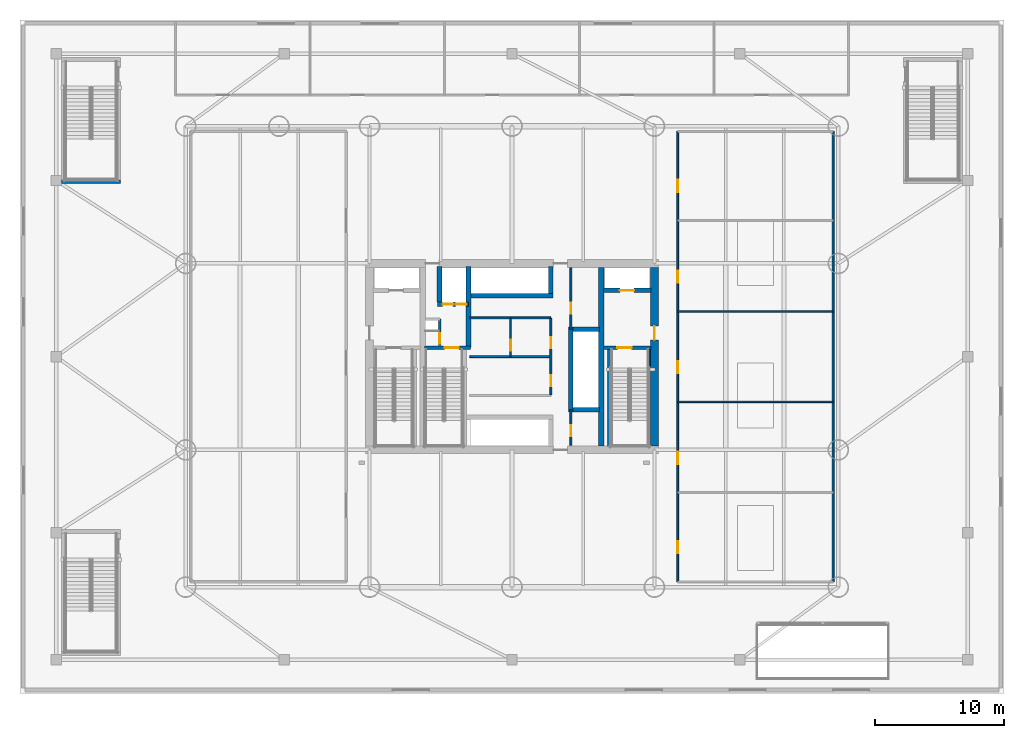
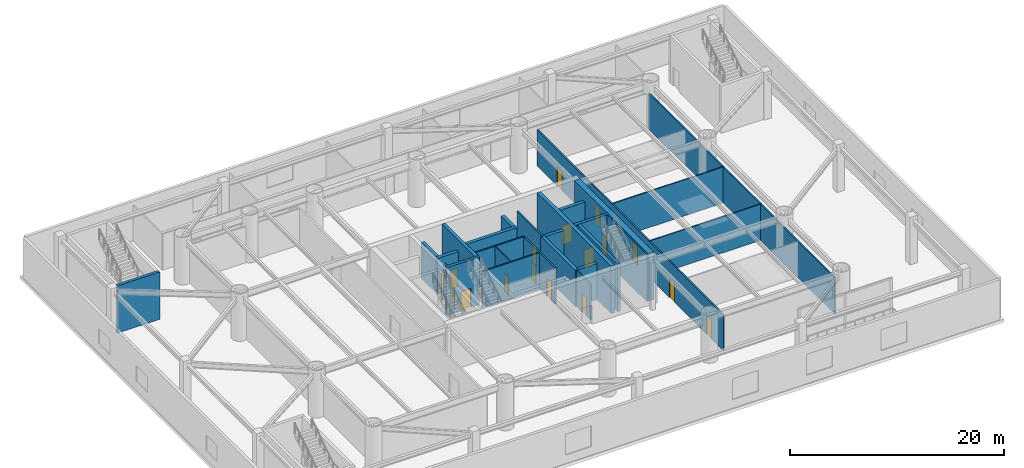
# One storey, part 7 of 16: 27 walls, 17 doors, 17 openings.
"""IFC4 building model written with IfcOpenShell, lengths in metres."""

from ifc_helpers import new_model, si_unit, direction, frame, frame_2d, origin, place, context, subcontext, project, spatial, rectangle, extrude, material, layer, layer_set, type_object, element, fill, save


model = new_model("IFC4")

# Units and contexts
model_context = context("Model", 3, precision=1e-05, world=origin(), true_north=direction((0.0, 1.0)))
body_context = subcontext(model_context, "Body", "Model", "MODEL_VIEW")
ifc_project = project(units=[si_unit("LENGTHUNIT", "METRE"), si_unit("AREAUNIT", "SQUARE_METRE"), si_unit("VOLUMEUNIT", "CUBIC_METRE"), si_unit("PLANEANGLEUNIT", "RADIAN"), si_unit("MASSUNIT", "GRAM", prefix="KILO")], contexts=[model_context])

# Site, building, storey
site_placement = place(None, origin())
site = spatial("IfcSite", under=ifc_project, at=site_placement, CompositionType="ELEMENT")
building_placement = place(site_placement, origin())
building = spatial("IfcBuilding", under=site, at=building_placement, Name="Bramvorn Convention Spire", CompositionType="ELEMENT")
storey_placement = place(building_placement, frame((0.0, 0.0, 18.60009765625)))
storey = spatial("IfcBuildingStorey", under=building, at=storey_placement, Name="L03", CompositionType="ELEMENT", Elevation=18.60009765625)

# Wall, opening, door
ifc_material_1 = material(Name="Concrete C60/70", Category="concrete")
ifc_layer_1 = layer(ifc_material_1, 0.60009765625)
ifc_layer_set_1 = layer_set([ifc_layer_1], Name="Concrete C60/70 - WL-CORE-600")
wall_type_1 = type_object("IfcWallType", Name="WL-CORE-600", PredefinedType="SHEAR", material=ifc_layer_set_1)
wall_1_placement = place(storey_placement, frame((49.0, 19.10009765625, 0.0), z_axis=(0.0, 0.0, 1.0), x_axis=(0.0, 1.0, 0.0)))
wall_1 = element("IfcWall", 1, at=wall_1_placement, inside=storey, type_object=wall_type_1, Name="L03 East RC core shear wall", PredefinedType="SHEAR", context=body_context, shape_type="SweptSolid", body=[
    extrude(rectangle(XDim=13.7998046875, YDim=0.60009765625, at=frame_2d((6.89990234375, 0.0))), origin(), (0.0, 0.0, 1.0), 5.39990234375),
])
opening_1_placement = place(wall_1_placement, frame((8.199951171875, 0.0, 0.0)))
opening_1 = element("IfcOpeningElement", 2, at=opening_1_placement, cuts=wall_1, Name="Opening DL-105", PredefinedType="OPENING", context=body_context, shape_type="SweptSolid", body=[
    extrude(rectangle(XDim=1.050048828125, YDim=2.14990234375, at=frame_2d((0.52490234375, 1.074951171875))), frame((0.0, 0.31005859375, 0.0), z_axis=(0.0, -1.0, 0.0), x_axis=(1.0, 0.0, 0.0)), (0.0, 0.0, 1.0), 0.6201171875),
])
ifc_material_2 = material(Name="Smoke-Sealed Fire Lobby Timber-Core Door", Category="wood")
door_type_1 = type_object("IfcDoorType", Name="DR-LOBBY-1050", OperationType="NOTDEFINED", PredefinedType="DOOR", material=ifc_material_2)
door_1_placement = place(opening_1_placement, origin())
door_1 = element("IfcDoor", 3, at=door_1_placement, inside=storey, type_object=door_type_1, Name="L03 East Firefighting Lobby corridor door", OperationType="SINGLE_SWING_LEFT", OverallHeight=2.14990234375, OverallWidth=1.050048828125, PredefinedType="DOOR", context=body_context, shape_type="SweptSolid", body=[
    extrude(rectangle(XDim=1.050048828125, YDim=2.14990234375, at=frame_2d((0.52490234375, 1.074951171875))), frame((0.0, 0.02490234375, 0.0), z_axis=(0.0, -1.0, 0.0), x_axis=(1.0, 0.0, 0.0)), (0.0, 0.0, 1.0), 0.050048828125),
])
fill(opening_1, door_1)

ifc_material_3 = material(Name="Concrete C50/60", Category="concrete")
ifc_layer_2 = layer(ifc_material_3, 0.35009765625)
ifc_layer_set_2 = layer_set([ifc_layer_2], Name="Concrete C50/60 - WL-CORE-INT-350")
wall_type_2 = type_object("IfcWallType", Name="WL-CORE-INT-350", PredefinedType="SHEAR", material=ifc_layer_set_2)
wall_2_placement = place(storey_placement, frame((45.080078125, 31.1201171875, 0.0), z_axis=(0.0, 0.0, 1.0), x_axis=(1.0, 0.0, 0.0)))
wall_2 = element("IfcWall", 4, at=wall_2_placement, inside=storey, type_object=wall_type_2, Name="L03 FE2 shaft front wall", PredefinedType="SHEAR", context=body_context, shape_type="SweptSolid", body=[
    extrude(rectangle(XDim=3.669921875, YDim=0.35009765625, at=frame_2d((1.8349609375, 0.0))), origin(), (0.0, 0.0, 1.0), 4.10986328125),
])
opening_2_placement = place(wall_2_placement, frame((1.25, 0.0, 0.0)))
opening_2 = element("IfcOpeningElement", 5, at=opening_2_placement, cuts=wall_2, Name="Opening LD-110", PredefinedType="OPENING", context=body_context, shape_type="SweptSolid", body=[
    extrude(rectangle(XDim=1.10009765625, YDim=2.14990234375, at=frame_2d((0.550048828125, 1.074951171875))), frame((0.0, 0.18505859375, 0.0), z_axis=(0.0, -1.0, 0.0), x_axis=(1.0, 0.0, 0.0)), (0.0, 0.0, 1.0), 0.3701171875),
])
ifc_material_4 = material(Name="Firefighting & Service Lift Sliding Landing Door", Category="steel")
door_type_2 = type_object("IfcDoorType", Name="DR-LIFT-LD-1100", OperationType="NOTDEFINED", PredefinedType="DOOR", material=ifc_material_4)
door_2_placement = place(opening_2_placement, origin())
door_2 = element("IfcDoor", 6, at=door_2_placement, inside=storey, type_object=door_type_2, Name="L03 Lift FE2 Sliding Landing Door", OperationType="SLIDING_TO_LEFT", OverallHeight=2.14990234375, OverallWidth=1.10009765625, PredefinedType="DOOR", context=body_context, shape_type="SweptSolid", body=[
    extrude(rectangle(XDim=1.10009765625, YDim=2.14990234375, at=frame_2d((0.550048828125, 1.074951171875))), frame((0.0, 0.02490234375, 0.0), z_axis=(0.0, -1.0, 0.0), x_axis=(1.0, 0.0, 0.0)), (0.0, 0.0, 1.0), 0.050048828125),
])
fill(opening_2, door_2)

# Wall
wall_3_placement = place(storey_placement, frame((34.639892578125, 26.68994140625, 0.0), z_axis=(0.0, 0.0, 1.0), x_axis=(0.0, 1.0, 0.0)))
element("IfcWall", 7, at=wall_3_placement, inside=storey, type_object=wall_type_2, Name="L03 SV east core shaft wall", PredefinedType="SHEAR", context=body_context, shape_type="SweptSolid", body=[
    extrude(rectangle(XDim=6.260009765625, YDim=0.35009765625, at=frame_2d((3.1298828125, 0.0))), origin(), (0.0, 0.0, 1.0), 5.39990234375),
])

# Wall, openings, doors
wall_4_placement = place(storey_placement, frame((32.22998046875, 30.050048828125, 0.0), z_axis=(0.0, 0.0, 1.0), x_axis=(1.0, 0.0, 0.0)))
wall_4 = element("IfcWall", 8, at=wall_4_placement, inside=storey, type_object=wall_type_2, Name="L03 SV1/SV2 shaft front wall", PredefinedType="SHEAR", context=body_context, shape_type="SweptSolid", body=[
    extrude(rectangle(XDim=2.409912109375, YDim=0.35009765625, at=frame_2d((1.205078125, 0.0))), origin(), (0.0, 0.0, 1.0), 4.10986328125),
])
opening_3_placement = place(wall_4_placement, frame((0.419921875, 0.0, 0.0)))
opening_3 = element("IfcOpeningElement", 9, at=opening_3_placement, cuts=wall_4, Name="Opening LD-080", PredefinedType="OPENING", context=body_context, shape_type="SweptSolid", body=[
    extrude(rectangle(XDim=0.800048828125, YDim=2.14990234375, at=frame_2d((0.39990234375, 1.074951171875))), frame((0.0, 0.18505859375, 0.0), z_axis=(0.0, -1.0, 0.0), x_axis=(1.0, 0.0, 0.0)), (0.0, 0.0, 1.0), 0.3701171875),
])
opening_4_placement = place(wall_4_placement, frame((1.419921875, 0.0, 0.0)))
opening_4 = element("IfcOpeningElement", 10, at=opening_4_placement, cuts=wall_4, Name="Opening LD-080", PredefinedType="OPENING", context=body_context, shape_type="SweptSolid", body=[
    extrude(rectangle(XDim=0.800048828125, YDim=2.14990234375, at=frame_2d((0.39990234375, 1.074951171875))), frame((0.0, 0.18505859375, 0.0), z_axis=(0.0, -1.0, 0.0), x_axis=(1.0, 0.0, 0.0)), (0.0, 0.0, 1.0), 0.3701171875),
])
ifc_material_5 = material(Name="Service Lift Bi-Parting Landing Door", Category="steel")
door_type_3 = type_object("IfcDoorType", Name="DR-LIFT-LD-800", OperationType="NOTDEFINED", PredefinedType="DOOR", material=ifc_material_5)
door_3_placement = place(opening_3_placement, origin())
door_3 = element("IfcDoor", 11, at=door_3_placement, inside=storey, type_object=door_type_3, Name="L03 Lift SV1 Sliding Landing Door", OperationType="SLIDING_TO_LEFT", OverallHeight=2.14990234375, OverallWidth=0.800048828125, PredefinedType="DOOR", context=body_context, shape_type="SweptSolid", body=[
    extrude(rectangle(XDim=0.800048828125, YDim=2.14990234375, at=frame_2d((0.39990234375, 1.074951171875))), frame((0.0, 0.02490234375, 0.0), z_axis=(0.0, -1.0, 0.0), x_axis=(1.0, 0.0, 0.0)), (0.0, 0.0, 1.0), 0.050048828125),
])
fill(opening_3, door_3)
door_4_placement = place(opening_4_placement, origin())
door_4 = element("IfcDoor", 12, at=door_4_placement, inside=storey, type_object=door_type_3, Name="L03 Lift SV2 Sliding Landing Door", OperationType="SLIDING_TO_LEFT", OverallHeight=2.14990234375, OverallWidth=0.800048828125, PredefinedType="DOOR", context=body_context, shape_type="SweptSolid", body=[
    extrude(rectangle(XDim=0.800048828125, YDim=2.14990234375, at=frame_2d((0.39990234375, 1.074951171875))), frame((0.0, 0.02490234375, 0.0), z_axis=(0.0, -1.0, 0.0), x_axis=(1.0, 0.0, 0.0)), (0.0, 0.0, 1.0), 0.050048828125),
])
fill(opening_4, door_4)

# Walls
wall_5_placement = place(storey_placement, frame((32.39990234375, 30.219970703125, 0.0), z_axis=(0.0, 0.0, 1.0), x_axis=(0.0, 1.0, 0.0)))
element("IfcWall", 13, at=wall_5_placement, inside=storey, type_object=wall_type_2, Name="L03 SV1 west hoistway wall", PredefinedType="SHEAR", context=body_context, shape_type="SweptSolid", body=[
    extrude(rectangle(XDim=2.72998046875, YDim=0.35009765625, at=frame_2d((1.364990234375, 0.0))), origin(), (0.0, 0.0, 1.0), 4.10986328125),
])
wall_6_placement = place(storey_placement, frame((42.550048828125, 21.72998046875, 0.0), z_axis=(0.0, 0.0, 1.0), x_axis=(0.0, 1.0, 0.0)))
element("IfcWall", 14, at=wall_6_placement, inside=storey, type_object=wall_type_2, Name="L03 High-rise lift bank west wall", PredefinedType="SHEAR", context=body_context, shape_type="SweptSolid", body=[
    extrude(rectangle(XDim=6.5400390625, YDim=0.35009765625, at=frame_2d((3.27001953125, 0.0))), origin(), (0.0, 0.0, 1.0), 4.10986328125),
])
for number, where, z_axis, x_axis, name in (
    (15, (42.719970703125, 21.89990234375, 0.0), (0.0, 0.0, 1.0), (1.0, 0.0, 0.0), "L03 High-rise lift bank south wall"),
    (16, (42.719970703125, 28.10009765625, 0.0), (0.0, 0.0, 1.0), (1.0, 0.0, 0.0), "L03 High-rise lift bank north wall"),
):
    element("IfcWall", number, at=place(storey_placement, frame(where, z_axis=z_axis, x_axis=x_axis)), inside=storey, type_object=wall_type_2, Name=name, PredefinedType="SHEAR", context=body_context, shape_type="SweptSolid", body=[
        extrude(rectangle(XDim=2.030029296875, YDim=0.35009765625, at=frame_2d((1.01513671875, 0.0))), origin(), (0.0, 0.0, 1.0), 4.10986328125),
    ])
wall_7_placement = place(storey_placement, frame((34.81005859375, 30.699951171875, 0.0), z_axis=(0.0, 0.0, 1.0), x_axis=(1.0, 0.0, 0.0)))
element("IfcWall", 17, at=wall_7_placement, inside=storey, type_object=wall_type_2, Name="L03 Low-rise bank south landing wall", PredefinedType="SHEAR", context=body_context, shape_type="SweptSolid", body=[
    extrude(rectangle(XDim=6.35986328125, YDim=0.35009765625, at=frame_2d((3.179931640625, 0.0))), origin(), (0.0, 0.0, 1.0), 4.10986328125),
])
wall_8_placement = place(storey_placement, frame((41.0, 30.8701171875, 0.0), z_axis=(0.0, 0.0, 1.0), x_axis=(0.0, 1.0, 0.0)))
element("IfcWall", 18, at=wall_8_placement, inside=storey, type_object=wall_type_2, Name="L03 Low-rise bank east cheek wall", PredefinedType="SHEAR", context=body_context, shape_type="SweptSolid", body=[
    extrude(rectangle(XDim=2.079833984375, YDim=0.35009765625, at=frame_2d((1.0400390625, 0.0))), origin(), (0.0, 0.0, 1.0), 4.10986328125),
])
ifc_layer_3 = layer(ifc_material_1, 0.39990234375)
ifc_layer_set_3 = layer_set([ifc_layer_3], Name="Concrete C60/70 - WL-CORE-INT-400")
wall_type_3 = type_object("IfcWallType", Name="WL-CORE-INT-400", PredefinedType="SHEAR", material=ifc_layer_set_3)
wall_9_placement = place(storey_placement, frame((44.89990234375, 19.10009765625, 0.0), z_axis=(0.0, 0.0, 1.0), x_axis=(0.0, 1.0, 0.0)))
element("IfcWall", 19, at=wall_9_placement, inside=storey, type_object=wall_type_3, Name="L03 East internal core shear web", PredefinedType="SHEAR", context=body_context, shape_type="SweptSolid", body=[
    extrude(rectangle(XDim=13.7998046875, YDim=0.39990234375, at=frame_2d((6.89990234375, 0.0))), origin(), (0.0, 0.0, 1.0), 5.39990234375),
])

# Wall, opening, door
ifc_material_6 = material(Name="Lightweight En-Suite & Wet-Wall Partition", Category="gypsum")
ifc_layer_4 = layer(ifc_material_6, 0.110107421875)
ifc_layer_set_4 = layer_set([ifc_layer_4], Name="Lightweight En-Suite & Wet-Wall Partition - WL-PART-110")
wall_type_4 = type_object("IfcWallType", Name="WL-PART-110", PredefinedType="PARTITIONING", material=ifc_layer_set_4)
wall_10_placement = place(storey_placement, frame((37.89990234375, 26.0, 0.0), z_axis=(0.0, 0.0, 1.0), x_axis=(0.0, 1.0, 0.0)))
wall_10 = element("IfcWall", 20, at=wall_10_placement, inside=storey, type_object=wall_type_4, Name="L03 Core restroom subwall", PredefinedType="PARTITIONING", context=body_context, shape_type="SweptSolid", body=[
    extrude(rectangle(XDim=2.949951171875, YDim=0.110107421875, at=frame_2d((1.47509765625, 0.0))), origin(), (0.0, 0.0, 1.0), 4.10986328125),
])
opening_5_placement = place(wall_10_placement, frame((0.449951171875, 0.0, 0.0)))
opening_5 = element("IfcOpeningElement", 21, at=opening_5_placement, cuts=wall_10, Name="Opening DC-085", PredefinedType="OPENING", context=body_context, shape_type="SweptSolid", body=[
    extrude(rectangle(XDim=0.85009765625, YDim=2.10009765625, at=frame_2d((0.425048828125, 1.050048828125))), frame((0.0, 0.06494140625, 0.0), z_axis=(0.0, -1.0, 0.0), x_axis=(1.0, 0.0, 0.0)), (0.0, 0.0, 1.0), 0.130126953125),
])
ifc_material_7 = material(Name="Fire-Rated Core Washroom & IDF Door", Category="wood")
door_type_4 = type_object("IfcDoorType", Name="DR-CORE-850", OperationType="NOTDEFINED", PredefinedType="DOOR", material=ifc_material_7)
door_5_placement = place(opening_5_placement, origin())
door_5 = element("IfcDoor", 22, at=door_5_placement, inside=storey, type_object=door_type_4, Name="L03 Core telecom store door", OperationType="SINGLE_SWING_LEFT", OverallHeight=2.10009765625, OverallWidth=0.85009765625, PredefinedType="DOOR", context=body_context, shape_type="SweptSolid", body=[
    extrude(rectangle(XDim=0.85009765625, YDim=2.10009765625, at=frame_2d((0.425048828125, 1.050048828125))), frame((0.0, 0.02490234375, 0.0), z_axis=(0.0, -1.0, 0.0), x_axis=(1.0, 0.0, 0.0)), (0.0, 0.0, 1.0), 0.050048828125),
])
fill(opening_5, door_5)

# Walls
for number, where, z_axis, x_axis, name in (
    (23, (50.800048828125, 22.5, 0.0), (0.0, 0.0, 1.0), (1.0, 0.0, 0.0), "L03 Seminar divider 2"),
    (24, (50.800048828125, 29.5, 0.0), (0.0, 0.0, 1.0), (1.0, 0.0, 0.0), "L03 Seminar divider 3"),
):
    element("IfcWall", number, at=place(storey_placement, frame(where, z_axis=z_axis, x_axis=x_axis)), inside=storey, type_object=wall_type_4, Name=name, PredefinedType="PARTITIONING", context=body_context, shape_type="SweptSolid", body=[
        extrude(rectangle(XDim=12.0, YDim=0.110107421875, at=frame_2d((6.0, 0.0))), origin(), (0.0, 0.0, 1.0), 4.10986328125),
    ])
ifc_material_8 = material(Name="Acoustic Metal-Stud Tenant/Corridor Partition", Category="gypsum")
ifc_layer_5 = layer(ifc_material_8, 0.14990234375)
ifc_layer_set_5 = layer_set([ifc_layer_5], Name="Acoustic Metal-Stud Tenant/Corridor Partition - WL-PART-150")
wall_type_5 = type_object("IfcWallType", Name="WL-PART-150", PredefinedType="PARTITIONING", material=ifc_layer_set_5)
wall_11_placement = place(storey_placement, frame((34.75, 29.0, 0.0), z_axis=(0.0, 0.0, 1.0), x_axis=(1.0, 0.0, 0.0)))
element("IfcWall", 25, at=wall_11_placement, inside=storey, type_object=wall_type_5, Name="L03 Low-rise lift vestibule south wall", PredefinedType="PARTITIONING", context=body_context, shape_type="SweptSolid", body=[
    extrude(rectangle(XDim=6.25, YDim=0.14990234375, at=frame_2d((3.125, 0.0))), origin(), (0.0, 0.0, 1.0), 4.10986328125),
])

# Wall, openings, doors
wall_12_placement = place(storey_placement, frame((41.0, 23.050048828125, 0.0), z_axis=(0.0, 0.0, 1.0), x_axis=(0.0, 1.0, 0.0)))
wall_12 = element("IfcWall", 26, at=wall_12_placement, inside=storey, type_object=wall_type_5, Name="L03 Core room east wall", PredefinedType="PARTITIONING", context=body_context, shape_type="SweptSolid", body=[
    extrude(rectangle(XDim=5.89990234375, YDim=0.14990234375, at=frame_2d((2.949951171875, 0.0))), origin(), (0.0, 0.0, 1.0), 4.10986328125),
])
opening_6_placement = place(wall_12_placement, frame((0.64990234375, 0.0, 0.0)))
opening_6 = element("IfcOpeningElement", 27, at=opening_6_placement, cuts=wall_12, Name="Opening DC-085", PredefinedType="OPENING", context=body_context, shape_type="SweptSolid", body=[
    extrude(rectangle(XDim=0.85009765625, YDim=2.10009765625, at=frame_2d((0.425048828125, 1.050048828125))), frame((0.0, 0.0849609375, 0.0), z_axis=(0.0, -1.0, 0.0), x_axis=(1.0, 0.0, 0.0)), (0.0, 0.0, 1.0), 0.169921875),
])
opening_7_placement = place(wall_12_placement, frame((3.60009765625, 0.0, 0.0)))
opening_7 = element("IfcOpeningElement", 28, at=opening_7_placement, cuts=wall_12, Name="Opening DC-085", PredefinedType="OPENING", context=body_context, shape_type="SweptSolid", body=[
    extrude(rectangle(XDim=0.85009765625, YDim=2.10009765625, at=frame_2d((0.425048828125, 1.050048828125))), frame((0.0, 0.0849609375, 0.0), z_axis=(0.0, -1.0, 0.0), x_axis=(1.0, 0.0, 0.0)), (0.0, 0.0, 1.0), 0.169921875),
])
door_6_placement = place(opening_6_placement, origin())
door_6 = element("IfcDoor", 29, at=door_6_placement, inside=storey, type_object=door_type_4, Name="L03 Core room 1 door", OperationType="SINGLE_SWING_LEFT", OverallHeight=2.10009765625, OverallWidth=0.85009765625, PredefinedType="DOOR", context=body_context, shape_type="SweptSolid", body=[
    extrude(rectangle(XDim=0.85009765625, YDim=2.10009765625, at=frame_2d((0.425048828125, 1.050048828125))), frame((0.0, 0.02490234375, 0.0), z_axis=(0.0, -1.0, 0.0), x_axis=(1.0, 0.0, 0.0)), (0.0, 0.0, 1.0), 0.050048828125),
])
fill(opening_6, door_6)
door_7_placement = place(opening_7_placement, origin())
door_7 = element("IfcDoor", 30, at=door_7_placement, inside=storey, type_object=door_type_4, Name="L03 Core room 2 door", OperationType="SINGLE_SWING_LEFT", OverallHeight=2.10009765625, OverallWidth=0.85009765625, PredefinedType="DOOR", context=body_context, shape_type="SweptSolid", body=[
    extrude(rectangle(XDim=0.85009765625, YDim=2.10009765625, at=frame_2d((0.425048828125, 1.050048828125))), frame((0.0, 0.02490234375, 0.0), z_axis=(0.0, -1.0, 0.0), x_axis=(1.0, 0.0, 0.0)), (0.0, 0.0, 1.0), 0.050048828125),
])
fill(opening_7, door_7)

# Wall
wall_13_placement = place(storey_placement, frame((34.75, 26.0, 0.0), z_axis=(0.0, 0.0, 1.0), x_axis=(1.0, 0.0, 0.0)))
element("IfcWall", 31, at=wall_13_placement, inside=storey, type_object=wall_type_5, Name="L03 Core room divider", PredefinedType="PARTITIONING", context=body_context, shape_type="SweptSolid", body=[
    extrude(rectangle(XDim=6.25, YDim=0.14990234375, at=frame_2d((3.125, 0.0))), origin(), (0.0, 0.0, 1.0), 4.10986328125),
])

# Wall, opening, door
wall_14_placement = place(storey_placement, frame((42.550048828125, 28.10009765625, 0.0), z_axis=(0.0, 0.0, 1.0), x_axis=(0.0, 1.0, 0.0)))
wall_14 = element("IfcWall", 32, at=wall_14_placement, inside=storey, type_object=wall_type_5, Name="L03 Core NE store wall", PredefinedType="PARTITIONING", context=body_context, shape_type="SweptSolid", body=[
    extrude(rectangle(XDim=4.75, YDim=0.14990234375, at=frame_2d((2.375, 0.0))), origin(), (0.0, 0.0, 1.0), 4.10986328125),
])
opening_8_placement = place(wall_14_placement, frame((1.199951171875, 0.0, 0.0)))
opening_8 = element("IfcOpeningElement", 33, at=opening_8_placement, cuts=wall_14, Name="Opening DC-085", PredefinedType="OPENING", context=body_context, shape_type="SweptSolid", body=[
    extrude(rectangle(XDim=0.85009765625, YDim=2.10009765625, at=frame_2d((0.425048828125, 1.050048828125))), frame((0.0, 0.0849609375, 0.0), z_axis=(0.0, -1.0, 0.0), x_axis=(1.0, 0.0, 0.0)), (0.0, 0.0, 1.0), 0.169921875),
])
door_8_placement = place(opening_8_placement, origin())
door_8 = element("IfcDoor", 34, at=door_8_placement, inside=storey, type_object=door_type_4, Name="L03 Core NE store door", OperationType="SINGLE_SWING_LEFT", OverallHeight=2.10009765625, OverallWidth=0.85009765625, PredefinedType="DOOR", context=body_context, shape_type="SweptSolid", body=[
    extrude(rectangle(XDim=0.85009765625, YDim=2.10009765625, at=frame_2d((0.425048828125, 1.050048828125))), frame((0.0, 0.02490234375, 0.0), z_axis=(0.0, -1.0, 0.0), x_axis=(1.0, 0.0, 0.0)), (0.0, 0.0, 1.0), 0.050048828125),
])
fill(opening_8, door_8)

wall_15_placement = place(storey_placement, frame((42.550048828125, 19.14990234375, 0.0), z_axis=(0.0, 0.0, 1.0), x_axis=(0.0, 1.0, 0.0)))
wall_15 = element("IfcWall", 35, at=wall_15_placement, inside=storey, type_object=wall_type_5, Name="L03 Core SE riser wall", PredefinedType="PARTITIONING", context=body_context, shape_type="SweptSolid", body=[
    extrude(rectangle(XDim=2.75, YDim=0.14990234375, at=frame_2d((1.375, 0.0))), origin(), (0.0, 0.0, 1.0), 4.10986328125),
])
opening_9_placement = place(wall_15_placement, frame((0.699951171875, 0.0, 0.0)))
opening_9 = element("IfcOpeningElement", 36, at=opening_9_placement, cuts=wall_15, Name="Opening DC-085", PredefinedType="OPENING", context=body_context, shape_type="SweptSolid", body=[
    extrude(rectangle(XDim=0.85009765625, YDim=2.10009765625, at=frame_2d((0.425048828125, 1.050048828125))), frame((0.0, 0.0849609375, 0.0), z_axis=(0.0, -1.0, 0.0), x_axis=(1.0, 0.0, 0.0)), (0.0, 0.0, 1.0), 0.169921875),
])
door_9_placement = place(opening_9_placement, origin())
door_9 = element("IfcDoor", 37, at=door_9_placement, inside=storey, type_object=door_type_4, Name="L03 Core SE riser door", OperationType="SINGLE_SWING_LEFT", OverallHeight=2.10009765625, OverallWidth=0.85009765625, PredefinedType="DOOR", context=body_context, shape_type="SweptSolid", body=[
    extrude(rectangle(XDim=0.85009765625, YDim=2.10009765625, at=frame_2d((0.425048828125, 1.050048828125))), frame((0.0, 0.02490234375, 0.0), z_axis=(0.0, -1.0, 0.0), x_axis=(1.0, 0.0, 0.0)), (0.0, 0.0, 1.0), 0.050048828125),
])
fill(opening_9, door_9)

# Wall, openings, doors
wall_16_placement = place(storey_placement, frame((50.800048828125, 8.60009765625, 0.0), z_axis=(0.0, 0.0, 1.0), x_axis=(0.0, 1.0, 0.0)))
wall_16 = element("IfcWall", 38, at=wall_16_placement, inside=storey, type_object=wall_type_5, Name="L03 East Seminar wing wall", PredefinedType="PARTITIONING", context=body_context, shape_type="SweptSolid", body=[
    extrude(rectangle(XDim=34.7998046875, YDim=0.14990234375, at=frame_2d((17.39990234375, 0.0))), origin(), (0.0, 0.0, 1.0), 4.10986328125),
])
opening_10_placement = place(wall_16_placement, frame((2.199951171875, 0.0, 0.0)))
opening_10 = element("IfcOpeningElement", 39, at=opening_10_placement, cuts=wall_16, Name="Opening DH-095", PredefinedType="OPENING", context=body_context, shape_type="SweptSolid", body=[
    extrude(rectangle(XDim=0.949951171875, YDim=2.14990234375, at=frame_2d((0.47509765625, 1.074951171875))), frame((0.0, 0.0849609375, 0.0), z_axis=(0.0, -1.0, 0.0), x_axis=(1.0, 0.0, 0.0)), (0.0, 0.0, 1.0), 0.169921875),
])
opening_11_placement = place(wall_16_placement, frame((9.10009765625, 0.0, 0.0)))
opening_11 = element("IfcOpeningElement", 40, at=opening_11_placement, cuts=wall_16, Name="Opening DH-095", PredefinedType="OPENING", context=body_context, shape_type="SweptSolid", body=[
    extrude(rectangle(XDim=0.949951171875, YDim=2.14990234375, at=frame_2d((0.47509765625, 1.074951171875))), frame((0.0, 0.0849609375, 0.0), z_axis=(0.0, -1.0, 0.0), x_axis=(1.0, 0.0, 0.0)), (0.0, 0.0, 1.0), 0.169921875),
])
opening_12_placement = place(wall_16_placement, frame((16.10009765625, 0.0, 0.0)))
opening_12 = element("IfcOpeningElement", 41, at=opening_12_placement, cuts=wall_16, Name="Opening DH-095", PredefinedType="OPENING", context=body_context, shape_type="SweptSolid", body=[
    extrude(rectangle(XDim=0.949951171875, YDim=2.14990234375, at=frame_2d((0.47509765625, 1.074951171875))), frame((0.0, 0.0849609375, 0.0), z_axis=(0.0, -1.0, 0.0), x_axis=(1.0, 0.0, 0.0)), (0.0, 0.0, 1.0), 0.169921875),
])
opening_13_placement = place(wall_16_placement, frame((23.10009765625, 0.0, 0.0)))
opening_13 = element("IfcOpeningElement", 42, at=opening_13_placement, cuts=wall_16, Name="Opening DH-095", PredefinedType="OPENING", context=body_context, shape_type="SweptSolid", body=[
    extrude(rectangle(XDim=0.949951171875, YDim=2.14990234375, at=frame_2d((0.47509765625, 1.074951171875))), frame((0.0, 0.0849609375, 0.0), z_axis=(0.0, -1.0, 0.0), x_axis=(1.0, 0.0, 0.0)), (0.0, 0.0, 1.0), 0.169921875),
])
opening_14_placement = place(wall_16_placement, frame((30.10009765625, 0.0, 0.0)))
opening_14 = element("IfcOpeningElement", 43, at=opening_14_placement, cuts=wall_16, Name="Opening DH-095", PredefinedType="OPENING", context=body_context, shape_type="SweptSolid", body=[
    extrude(rectangle(XDim=0.949951171875, YDim=2.14990234375, at=frame_2d((0.47509765625, 1.074951171875))), frame((0.0, 0.0849609375, 0.0), z_axis=(0.0, -1.0, 0.0), x_axis=(1.0, 0.0, 0.0)), (0.0, 0.0, 1.0), 0.169921875),
])
ifc_material_9 = material(Name="Solid-Core Acoustic Guestroom Entry Door", Category="wood")
door_type_5 = type_object("IfcDoorType", Name="DR-HOTEL-950", OperationType="NOTDEFINED", PredefinedType="DOOR", material=ifc_material_9)
door_10_placement = place(opening_10_placement, origin())
door_10 = element("IfcDoor", 44, at=door_10_placement, inside=storey, type_object=door_type_5, Name="L03 Congress Seminar Room 1 door", OperationType="SINGLE_SWING_LEFT", OverallHeight=2.14990234375, OverallWidth=0.949951171875, PredefinedType="DOOR", context=body_context, shape_type="SweptSolid", body=[
    extrude(rectangle(XDim=0.949951171875, YDim=2.14990234375, at=frame_2d((0.47509765625, 1.074951171875))), frame((0.0, 0.02490234375, 0.0), z_axis=(0.0, -1.0, 0.0), x_axis=(1.0, 0.0, 0.0)), (0.0, 0.0, 1.0), 0.050048828125),
])
fill(opening_10, door_10)
door_11_placement = place(opening_11_placement, origin())
door_11 = element("IfcDoor", 45, at=door_11_placement, inside=storey, type_object=door_type_5, Name="L03 Congress Seminar Room 2 door", OperationType="SINGLE_SWING_LEFT", OverallHeight=2.14990234375, OverallWidth=0.949951171875, PredefinedType="DOOR", context=body_context, shape_type="SweptSolid", body=[
    extrude(rectangle(XDim=0.949951171875, YDim=2.14990234375, at=frame_2d((0.47509765625, 1.074951171875))), frame((0.0, 0.02490234375, 0.0), z_axis=(0.0, -1.0, 0.0), x_axis=(1.0, 0.0, 0.0)), (0.0, 0.0, 1.0), 0.050048828125),
])
fill(opening_11, door_11)
door_12_placement = place(opening_12_placement, origin())
door_12 = element("IfcDoor", 46, at=door_12_placement, inside=storey, type_object=door_type_5, Name="L03 Congress Seminar Room 3 door", OperationType="SINGLE_SWING_LEFT", OverallHeight=2.14990234375, OverallWidth=0.949951171875, PredefinedType="DOOR", context=body_context, shape_type="SweptSolid", body=[
    extrude(rectangle(XDim=0.949951171875, YDim=2.14990234375, at=frame_2d((0.47509765625, 1.074951171875))), frame((0.0, 0.02490234375, 0.0), z_axis=(0.0, -1.0, 0.0), x_axis=(1.0, 0.0, 0.0)), (0.0, 0.0, 1.0), 0.050048828125),
])
fill(opening_12, door_12)
door_13_placement = place(opening_13_placement, origin())
door_13 = element("IfcDoor", 47, at=door_13_placement, inside=storey, type_object=door_type_5, Name="L03 Congress Seminar Room 4 door", OperationType="SINGLE_SWING_LEFT", OverallHeight=2.14990234375, OverallWidth=0.949951171875, PredefinedType="DOOR", context=body_context, shape_type="SweptSolid", body=[
    extrude(rectangle(XDim=0.949951171875, YDim=2.14990234375, at=frame_2d((0.47509765625, 1.074951171875))), frame((0.0, 0.02490234375, 0.0), z_axis=(0.0, -1.0, 0.0), x_axis=(1.0, 0.0, 0.0)), (0.0, 0.0, 1.0), 0.050048828125),
])
fill(opening_13, door_13)
door_14_placement = place(opening_14_placement, origin())
door_14 = element("IfcDoor", 48, at=door_14_placement, inside=storey, type_object=door_type_5, Name="L03 Congress Seminar Room 5 door", OperationType="SINGLE_SWING_LEFT", OverallHeight=2.14990234375, OverallWidth=0.949951171875, PredefinedType="DOOR", context=body_context, shape_type="SweptSolid", body=[
    extrude(rectangle(XDim=0.949951171875, YDim=2.14990234375, at=frame_2d((0.47509765625, 1.074951171875))), frame((0.0, 0.02490234375, 0.0), z_axis=(0.0, -1.0, 0.0), x_axis=(1.0, 0.0, 0.0)), (0.0, 0.0, 1.0), 0.050048828125),
])
fill(opening_14, door_14)

# Wall
wall_17_placement = place(storey_placement, frame((62.800048828125, 8.60009765625, 0.0), z_axis=(0.0, 0.0, 1.0), x_axis=(0.0, 1.0, 0.0)))
element("IfcWall", 49, at=wall_17_placement, inside=storey, type_object=wall_type_5, Name="L03 East Seminar outer wall", PredefinedType="PARTITIONING", context=body_context, shape_type="SweptSolid", body=[
    extrude(rectangle(XDim=34.7998046875, YDim=0.14990234375, at=frame_2d((17.39990234375, 0.0))), origin(), (0.0, 0.0, 1.0), 4.10986328125),
])

# Wall, opening, door
ifc_material_10 = material(Name="Gypsum Shaftwall & Rockwool Core Partition", Category="gypsum")
ifc_layer_6 = layer(ifc_material_10, 0.199951171875)
ifc_layer_set_6 = layer_set([ifc_layer_6], Name="Gypsum Shaftwall & Rockwool Core Partition - WL-PART-200-FR")
wall_type_6 = type_object("IfcWallType", Name="WL-PART-200-FR", PredefinedType="PARTITIONING", material=ifc_layer_set_6)
wall_18_placement = place(storey_placement, frame((32.419921875, 26.860107421875, 0.0), z_axis=(0.0, 0.0, 1.0), x_axis=(0.0, 1.0, 0.0)))
wall_18 = element("IfcWall", 50, at=wall_18_placement, inside=storey, type_object=wall_type_6, Name="L03 Telecom riser east wall", PredefinedType="PARTITIONING", context=body_context, shape_type="SweptSolid", body=[
    extrude(rectangle(XDim=2.039794921875, YDim=0.199951171875, at=frame_2d((1.02001953125, 0.0))), origin(), (0.0, 0.0, 1.0), 4.10986328125),
])
opening_15_placement = place(wall_18_placement, frame((0.139892578125, 0.0, 0.0)))
opening_15 = element("IfcOpeningElement", 51, at=opening_15_placement, cuts=wall_18, Name="Opening DR-080", PredefinedType="OPENING", context=body_context, shape_type="SweptSolid", body=[
    extrude(rectangle(XDim=0.800048828125, YDim=2.050048828125, at=frame_2d((0.39990234375, 1.02490234375))), frame((0.0, 0.10986328125, 0.0), z_axis=(0.0, -1.0, 0.0), x_axis=(1.0, 0.0, 0.0)), (0.0, 0.0, 1.0), 0.219970703125),
])
ifc_material_11 = material(Name="Flush Steel Riser Access Door", Category="steel")
door_type_6 = type_object("IfcDoorType", Name="DR-RISER-800", OperationType="NOTDEFINED", PredefinedType="DOOR", material=ifc_material_11)
door_15_placement = place(opening_15_placement, origin())
door_15 = element("IfcDoor", 52, at=door_15_placement, inside=storey, type_object=door_type_6, Name="L03 Telecom riser access door", OperationType="SINGLE_SWING_RIGHT", OverallHeight=2.050048828125, OverallWidth=0.800048828125, PredefinedType="DOOR", context=body_context, shape_type="SweptSolid", body=[
    extrude(rectangle(XDim=0.800048828125, YDim=2.050048828125, at=frame_2d((0.39990234375, 1.02490234375))), frame((0.0, 0.02490234375, 0.0), z_axis=(0.0, -1.0, 0.0), x_axis=(1.0, 0.0, 0.0)), (0.0, 0.0, 1.0), 0.050048828125),
])
fill(opening_15, door_15)

ifc_layer_7 = layer(ifc_material_3, 0.300048828125)
ifc_layer_set_7 = layer_set([ifc_layer_7], Name="Concrete C50/60 - WL-POD-STAIR-300")
wall_type_7 = type_object("IfcWallType", Name="WL-POD-STAIR-300", PredefinedType="SHEAR", material=ifc_layer_set_7)
wall_19_placement = place(storey_placement, frame((45.080078125, 26.68994140625, 0.0), z_axis=(0.0, 0.0, 1.0), x_axis=(1.0, 0.0, 0.0)))
wall_19 = element("IfcWall", 53, at=wall_19_placement, inside=storey, type_object=wall_type_7, Name="L03 ST2 north fire wall", PredefinedType="SHEAR", context=body_context, shape_type="SweptSolid", body=[
    extrude(rectangle(XDim=3.669921875, YDim=0.300048828125, at=frame_2d((1.8349609375, 0.0))), origin(), (0.0, 0.0, 1.0), 5.39990234375),
])
opening_16_placement = place(wall_19_placement, frame((1.050048828125, 0.0, 0.0)))
opening_16 = element("IfcOpeningElement", 54, at=opening_16_placement, cuts=wall_19, Name="Opening DS-110", PredefinedType="OPENING", context=body_context, shape_type="SweptSolid", body=[
    extrude(rectangle(XDim=1.10009765625, YDim=2.14990234375, at=frame_2d((0.550048828125, 1.074951171875))), frame((0.0, 0.159912109375, 0.0), z_axis=(0.0, -1.0, 0.0), x_axis=(1.0, 0.0, 0.0)), (0.0, 0.0, 1.0), 0.320068359375),
])
ifc_material_12 = material(Name="Fire-Rated Hollow Steel Stairwell Door", Category="steel")
door_type_7 = type_object("IfcDoorType", Name="DR-STAIR-1100", OperationType="NOTDEFINED", PredefinedType="DOOR", material=ifc_material_12)
door_16_placement = place(opening_16_placement, origin())
door_16 = element("IfcDoor", 55, at=door_16_placement, inside=storey, type_object=door_type_7, Name="L03 Stair ST2 fire door", OperationType="SINGLE_SWING_RIGHT", OverallHeight=2.14990234375, OverallWidth=1.10009765625, PredefinedType="DOOR", context=body_context, shape_type="SweptSolid", body=[
    extrude(rectangle(XDim=1.10009765625, YDim=2.14990234375, at=frame_2d((0.550048828125, 1.074951171875))), frame((0.0, 0.02490234375, 0.0), z_axis=(0.0, -1.0, 0.0), x_axis=(1.0, 0.0, 0.0)), (0.0, 0.0, 1.0), 0.050048828125),
])
fill(opening_16, door_16)

# Wall
wall_20_placement = place(storey_placement, frame((45.510009765625, 19.050048828125, 0.0), z_axis=(0.0, 0.0, 1.0), x_axis=(0.0, 1.0, 0.0)))
element("IfcWall", 56, at=wall_20_placement, inside=storey, type_object=wall_type_7, Name="L03 ST2 west bearing wall", PredefinedType="SHEAR", context=body_context, shape_type="SweptSolid", body=[
    extrude(rectangle(XDim=7.5, YDim=0.300048828125, at=frame_2d((3.75, 0.0))), origin(), (0.0, 0.0, 1.0), 5.39990234375),
])

# Wall, opening, door
wall_21_placement = place(storey_placement, frame((31.25, 26.68994140625, 0.0), z_axis=(0.0, 0.0, 1.0), x_axis=(1.0, 0.0, 0.0)))
wall_21 = element("IfcWall", 57, at=wall_21_placement, inside=storey, type_object=wall_type_7, Name="L03 ST3 north lobby wall", PredefinedType="SHEAR", context=body_context, shape_type="SweptSolid", body=[
    extrude(rectangle(XDim=3.56005859375, YDim=0.300048828125, at=frame_2d((1.780029296875, 0.0))), origin(), (0.0, 0.0, 1.0), 5.39990234375),
])
opening_17_placement = place(wall_21_placement, frame((1.550048828125, 0.0, 0.0)))
opening_17 = element("IfcOpeningElement", 58, at=opening_17_placement, cuts=wall_21, Name="Opening DS-110", PredefinedType="OPENING", context=body_context, shape_type="SweptSolid", body=[
    extrude(rectangle(XDim=1.10009765625, YDim=2.14990234375, at=frame_2d((0.550048828125, 1.074951171875))), frame((0.0, 0.159912109375, 0.0), z_axis=(0.0, -1.0, 0.0), x_axis=(1.0, 0.0, 0.0)), (0.0, 0.0, 1.0), 0.320068359375),
])
door_17_placement = place(opening_17_placement, origin())
door_17 = element("IfcDoor", 59, at=door_17_placement, inside=storey, type_object=door_type_7, Name="L03 Stair ST3 fire door", OperationType="SINGLE_SWING_LEFT", OverallHeight=2.14990234375, OverallWidth=1.10009765625, PredefinedType="DOOR", context=body_context, shape_type="SweptSolid", body=[
    extrude(rectangle(XDim=1.10009765625, YDim=2.14990234375, at=frame_2d((0.550048828125, 1.074951171875))), frame((0.0, 0.02490234375, 0.0), z_axis=(0.0, -1.0, 0.0), x_axis=(1.0, 0.0, 0.0)), (0.0, 0.0, 1.0), 0.050048828125),
])
fill(opening_17, door_17)

# Walls
wall_22_placement = place(storey_placement, frame((3.2099609375, 39.510009765625, 0.0), z_axis=(0.0, 0.0, 1.0), x_axis=(1.0, 0.0, 0.0)))
element("IfcWall", 60, at=wall_22_placement, inside=storey, type_object=wall_type_7, Name="L03 ST6 south shaft wall", PredefinedType="SHEAR", context=body_context, shape_type="SweptSolid", body=[
    extrude(rectangle(XDim=4.56005859375, YDim=0.300048828125, at=frame_2d((2.280029296875, 0.0))), origin(), (0.0, 0.0, 1.0), 5.39990234375),
])
ifc_layer_8 = layer(ifc_material_3, 0.1201171875)
ifc_layer_set_8 = layer_set([ifc_layer_8], Name="Concrete C50/60 - WL-STAIR-RC-120")
wall_type_8 = type_object("IfcWallType", Name="WL-STAIR-RC-120", PredefinedType="SHEAR", material=ifc_layer_set_8)
wall_23_placement = place(storey_placement, frame((48.60498046875, 19.10009765625, 0.0), z_axis=(0.0, 0.0, 1.0), x_axis=(0.0, 1.0, 0.0)))
element("IfcWall", 61, at=wall_23_placement, inside=storey, type_object=wall_type_8, Name="L03 ST2 east bearing shear wall", PredefinedType="SHEAR", context=body_context, shape_type="SweptSolid", body=[
    extrude(rectangle(XDim=7.449951171875, YDim=0.1201171875, at=frame_2d((3.72509765625, 0.0))), origin(), (0.0, 0.0, 1.0), 5.39990234375),
])

save(model, "model.ifc")
